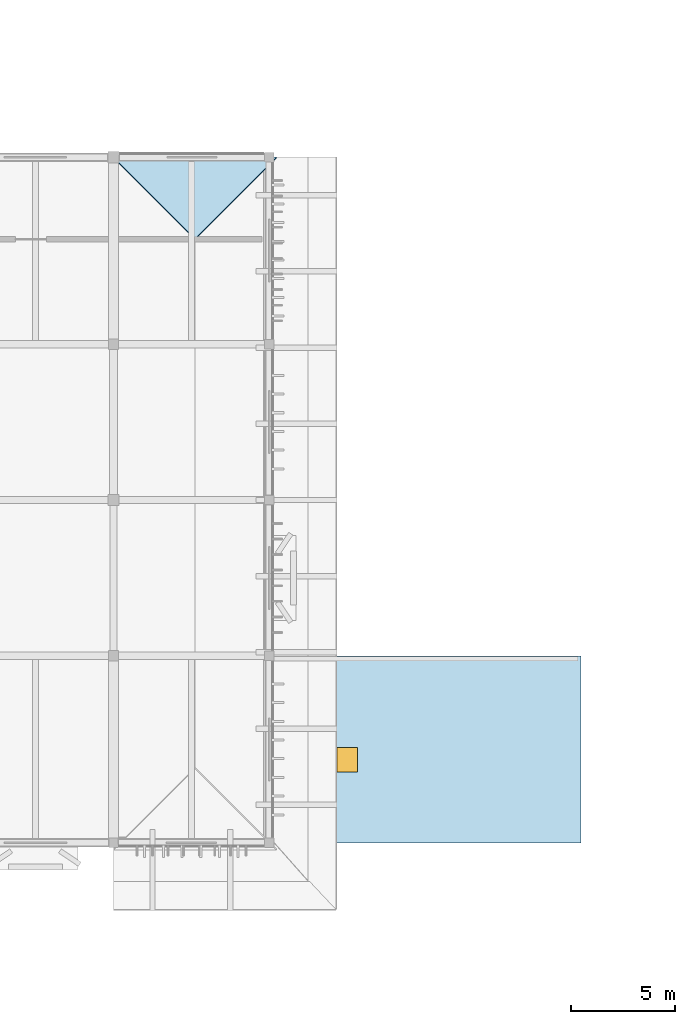
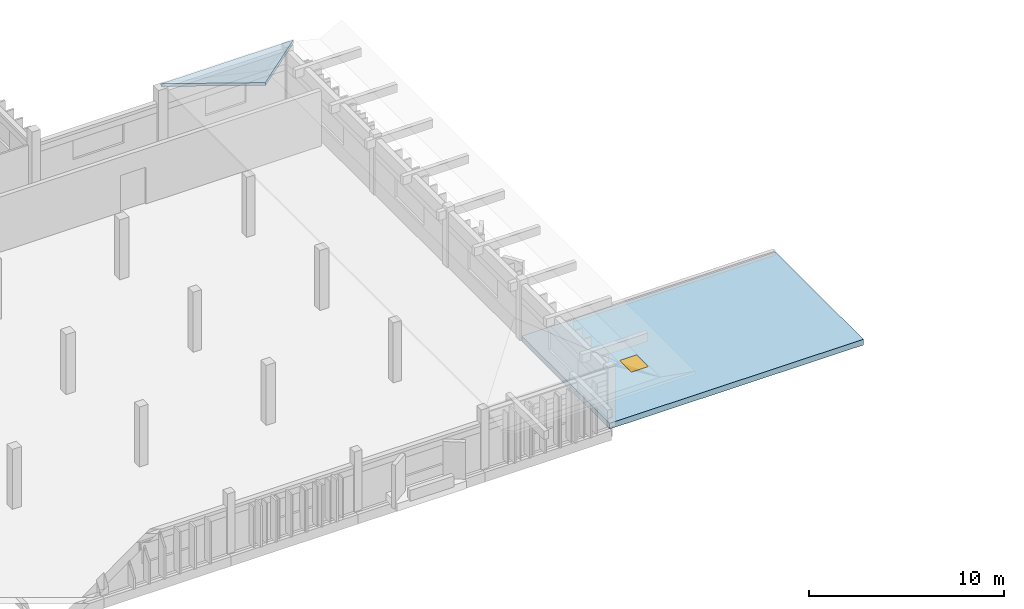
# One storey, part 11 of 43: 2 slabs, 1 door, 1 opening, 1 element without a shape of its own.
"""IFC4 building model written with IfcOpenShell, lengths in metres."""

import ifcopenshell
import ifcopenshell.guid

model = None  # the IFC model being written
_history = None  # IfcOwnerHistory: only IFC2X3 demands one
_inside = {}  # id of a spatial element -> (the spatial element, [elements in it])
_under = {}  # id of a project, library or spatial element -> (it, [spatial elements below it])
_declared = {}  # id of a project -> (the project, [libraries it declares])
_typed = {}  # id of a type object -> (the type object, [elements of that type])
_made_of = {}  # id of a material, layer set ... -> (it, [elements and type objects made of it])


def new_model(schema):
    """Start an empty IFC model of exactly this schema.

    Asked for "IFC4X3", IfcOpenShell would pick the latest addendum, in which some entities
    have other attributes; the version numbers below select the first issue.
    IFC2X3 requires an IfcOwnerHistory on every rooted entity: one is made here for all.
    """
    global model, _history
    if schema == "IFC4X3":
        model = ifcopenshell.file(schema_version=(4, 3, 0, 0))
    else:
        model = ifcopenshell.file(schema=schema)
    _inside.clear()
    _under.clear()
    _declared.clear()
    _typed.clear()
    _made_of.clear()
    _history = None
    if model.schema == "IFC2X3":
        org = make("IfcOrganization", Name="unknown")
        user = make(
            "IfcPersonAndOrganization",
            ThePerson=make("IfcPerson", FamilyName="unknown"),
            TheOrganization=org,
        )
        app = make(
            "IfcApplication",
            ApplicationDeveloper=org,
            Version="unknown",
            ApplicationFullName="unknown",
            ApplicationIdentifier="unknown",
        )
        _history = make(
            "IfcOwnerHistory",
            OwningUser=user,
            OwningApplication=app,
            ChangeAction="ADDED",
            CreationDate=0,
        )
    return model


def make(cls, **values):
    """One entity of the class cls with the attributes given. An attribute that is None is left unset."""
    return model.create_entity(
        cls, **{name: value for name, value in values.items() if value is not None}
    )


def rooted(cls, **values):
    """An entity with a GlobalId (a new one), such as an element, a storey or a relation."""
    return make(cls, GlobalId=ifcopenshell.guid.new(), OwnerHistory=_history, **values)


def si_unit(unit_type, name, prefix=None):
    """IfcSIUnit, for example si_unit("LENGTHUNIT", "METRE", prefix="MILLI")."""
    return make("IfcSIUnit", UnitType=unit_type, Prefix=prefix, Name=name)


def assignment(units):
    """IfcUnitAssignment: the units of a project."""
    return None if units is None else make("IfcUnitAssignment", Units=units)


def point(xyz):
    """IfcCartesianPoint."""
    return None if xyz is None else make("IfcCartesianPoint", Coordinates=xyz)


def direction(xyz):
    """IfcDirection."""
    return None if xyz is None else make("IfcDirection", DirectionRatios=xyz)


def frame(location, z_axis=None, x_axis=None):
    """IfcAxis2Placement3D, a coordinate frame: its origin and axes. An axis left out is left unset."""
    return make(
        "IfcAxis2Placement3D",
        Location=point(location),
        Axis=direction(z_axis),
        RefDirection=direction(x_axis),
    )


def frame_2d(location, x_axis=None):
    """IfcAxis2Placement2D, a coordinate frame in the plane: its origin and x axis."""
    return make(
        "IfcAxis2Placement2D", Location=point(location), RefDirection=direction(x_axis)
    )


def origin():
    """The frame at (0, 0, 0) with its axes left unset."""
    return frame((0.0, 0.0, 0.0))


def origin_2d():
    """The frame at (0, 0) in the plane with its x axis left unset."""
    return frame_2d((0.0, 0.0))


def place(relative_to, where):
    """IfcLocalPlacement: puts the frame where relative to a parent placement (None: the world)."""
    return make(
        "IfcLocalPlacement", PlacementRelTo=relative_to, RelativePlacement=where
    )


def context(
    kind, dimensions, precision=None, world=None, true_north=None, identifier=None
):
    """IfcGeometricRepresentationContext, for example the 3D "Model" context."""
    return make(
        "IfcGeometricRepresentationContext",
        ContextIdentifier=identifier,
        ContextType=kind,
        CoordinateSpaceDimension=dimensions,
        Precision=precision,
        WorldCoordinateSystem=world,
        TrueNorth=true_north,
    )


def subcontext(parent, identifier, kind, view, scale=None):
    """IfcGeometricRepresentationSubContext, for example "Body" below "Model"."""
    return make(
        "IfcGeometricRepresentationSubContext",
        ContextIdentifier=identifier,
        ContextType=kind,
        ParentContext=parent,
        TargetScale=scale,
        TargetView=view,
    )


def project(units=None, contexts=None):
    """IfcProject with its units and contexts."""
    return rooted(
        "IfcProject",
        Name="project",
        RepresentationContexts=contexts,
        UnitsInContext=assignment(units),
    )


def spatial(cls, under=None, at=None, **own):
    """A site, building, storey or space (cls), placed at a placement, below another one or the project."""
    s = rooted(cls, ObjectPlacement=at, **own)
    if under is not None:
        _under.setdefault(under.id(), (under, []))[1].append(s)
    return s


def polyline(points):
    """IfcPolyline through the points."""
    return make("IfcPolyline", Points=[point(p) for p in points])


def profile(cls, at=None, kind="AREA", **sizes):
    """A parametric profile (cls). Its sizes go by their IFC names, for example OverallWidth=200.0."""
    return make(cls, ProfileType=kind, Position=at, **sizes)


def rectangle(**sizes):
    """IfcRectangleProfileDef."""
    return profile("IfcRectangleProfileDef", **sizes)


def outline(outer, holes=None, kind="AREA"):
    """IfcArbitraryClosedProfileDef: a profile drawn as a closed curve; with holes, ...WithVoids."""
    if holes is None:
        return make("IfcArbitraryClosedProfileDef", ProfileType=kind, OuterCurve=outer)
    return make(
        "IfcArbitraryProfileDefWithVoids",
        ProfileType=kind,
        OuterCurve=outer,
        InnerCurves=holes,
    )


def extrude(swept, where, along, depth):
    """IfcExtrudedAreaSolid: the profile swept, set in the frame where, extruded along a direction by depth."""
    return make(
        "IfcExtrudedAreaSolid",
        SweptArea=swept,
        Position=where,
        ExtrudedDirection=direction(along),
        Depth=depth,
    )


def shape(context_of_items, identifier, shape_type, items):
    """IfcShapeRepresentation: the items that make up one representation, for example the "Body"."""
    return make(
        "IfcShapeRepresentation",
        ContextOfItems=context_of_items,
        RepresentationIdentifier=identifier,
        RepresentationType=shape_type,
        Items=items,
    )


def material(Name=None, Category=None):
    """IfcMaterial."""
    return make("IfcMaterial", Name=Name, Category=Category)


def layer(
    of_material, thickness, ventilated=None, Name=None, Category=None, Priority=None
):
    """IfcMaterialLayer: one layer of a wall or slab, of a material (None: an air gap)."""
    return make(
        "IfcMaterialLayer",
        Material=of_material,
        LayerThickness=thickness,
        IsVentilated=ventilated,
        Name=Name,
        Category=Category,
        Priority=Priority,
    )


def layer_set(layers, Name=None):
    """IfcMaterialLayerSet."""
    return make("IfcMaterialLayerSet", MaterialLayers=layers, LayerSetName=Name)


def made_of(thing, what):
    """Note that an element or type object is made of a material, layer set ...; save() writes the relation."""
    if what is not None:
        _made_of.setdefault(what.id(), (what, []))[1].append(thing)
    return thing


def type_object(cls, material=None, **own):
    """A type object (cls), such as IfcWallType, which elements share."""
    return made_of(rooted(cls, **own), material)


def element(
    cls,
    number,
    at=None,
    inside=None,
    cuts=None,
    type_object=None,
    material=None,
    context=None,
    identifier="Body",
    shape_type=None,
    held_by="IfcProductDefinitionShape",
    body=None,
    shapes=None,
    **own,
):
    """One element of the class cls, such as IfcWall. Its Tag is "e" and its number.

    at: its placement. inside: the storey or other place that contains it. cuts: it is an
    opening in that element (IfcRelVoidsElement). A single representation is given by context,
    identifier, shape_type and body (its items); several are given by shapes. held_by: the class
    of the entity that holds the representations. save() writes the other relations.
    """
    e = rooted(cls, Tag="e%d" % number, ObjectPlacement=at, **own)
    if body is not None:
        shapes = [shape(context, identifier, shape_type, body)]
    if shapes is not None:
        e.Representation = make(held_by, Representations=shapes)
    if inside is not None:
        _inside.setdefault(inside.id(), (inside, []))[1].append(e)
    if cuts is not None:
        rooted(
            "IfcRelVoidsElement", RelatingBuildingElement=cuts, RelatedOpeningElement=e
        )
    if type_object is not None:
        _typed.setdefault(type_object.id(), (type_object, []))[1].append(e)
    return made_of(e, material)


def fill(opening, filler):
    """IfcRelFillsElement: the door or window that sits in an opening."""
    return rooted(
        "IfcRelFillsElement",
        RelatingOpeningElement=opening,
        RelatedBuildingElement=filler,
    )


def aggregate(whole, parts):
    """IfcRelAggregates: a whole, such as a stair, and the parts it consists of."""
    return rooted("IfcRelAggregates", RelatingObject=whole, RelatedObjects=parts)


def save(model, path):
    """Write the relations noted so far, then the file.

    IfcRelAggregates (storeys below a building ...), IfcRelContainedInSpatialStructure (elements
    in a storey), IfcRelDefinesByType, IfcRelAssociatesMaterial and IfcRelDeclares: one each for
    every whole, place, type object, material and project.
    """
    for whole, parts in _under.values():
        aggregate(whole, parts)
    for where, things in _inside.values():
        rooted(
            "IfcRelContainedInSpatialStructure",
            RelatedElements=things,
            RelatingStructure=where,
        )
    for kind, things in _typed.values():
        rooted("IfcRelDefinesByType", RelatedObjects=things, RelatingType=kind)
    for what, things in _made_of.values():
        rooted("IfcRelAssociatesMaterial", RelatedObjects=things, RelatingMaterial=what)
    for by, libraries in _declared.values():
        rooted("IfcRelDeclares", RelatingContext=by, RelatedDefinitions=libraries)
    model.write(path)


model = new_model("IFC4")

# Units and contexts
model_context = context("Model", 3, precision=1e-05, world=origin(), true_north=direction((0.0, 1.0)))
body_context = subcontext(model_context, "Body", "Model", "MODEL_VIEW")
ifc_project = project(units=[si_unit("LENGTHUNIT", "METRE"), si_unit("AREAUNIT", "SQUARE_METRE"), si_unit("VOLUMEUNIT", "CUBIC_METRE"), si_unit("PLANEANGLEUNIT", "RADIAN"), si_unit("MASSUNIT", "GRAM", prefix="KILO")], contexts=[model_context])

# Site, building, storey
site_placement = place(None, origin())
site = spatial("IfcSite", under=ifc_project, at=site_placement, CompositionType="ELEMENT")
building_placement = place(site_placement, origin())
building = spatial("IfcBuilding", under=site, at=building_placement, Name="Dalvernix Boulevard General Hospital", CompositionType="ELEMENT")
storey_placement = place(building_placement, frame((0.0, 0.0, 14.10009765625)))
storey = spatial("IfcBuildingStorey", under=building, at=storey_placement, Name="L03", CompositionType="ELEMENT", Elevation=14.10009765625)

# Slab, opening, door
ifc_material_1 = material(Name="Concrete C35/45", Category="concrete")
ifc_layer_1 = layer(ifc_material_1, 0.219970703125)
ifc_layer_set_1 = layer_set([ifc_layer_1], Name="Concrete C35/45 (SLB-RS-01)")
slab_type_1 = type_object("IfcSlabType", Name="SLB-RS-01", PredefinedType="ROOF", material=ifc_layer_set_1)
slab_1_placement = place(storey_placement, frame((0.0, 0.0, -0.280029296875)))
slab_1 = element("IfcSlab", 1, at=slab_1_placement, inside=storey, type_object=slab_type_1, Name="L03 clinical skylight roof slab V2TOP", PredefinedType="ROOF", context=body_context, shape_type="SweptSolid", body=[
    extrude(outline(polyline([(142.5, 76.5), (157.5, 76.5), (157.5, 85.5), (142.5, 85.5), (142.5, 76.5)]), holes=[polyline([(145.75, 79.89990234375), (146.75, 79.89990234375), (146.75, 81.10009765625), (145.75, 81.10009765625), (145.75, 79.89990234375)])]), origin(), (0.0, 0.0, 1.0), 0.35986328125),
])
opening_placement = place(slab_1_placement, frame((146.25, 80.5, 0.0)))
opening = element("IfcOpeningElement", 2, at=opening_placement, cuts=slab_1, Name="Opening RH-01", PredefinedType="OPENING", context=body_context, shape_type="SweptSolid", body=[
    extrude(rectangle(XDim=1.0, YDim=1.199951171875, at=origin_2d()), origin(), (0.0, 0.0, 1.0), 0.35986328125),
])
ifc_material_2 = material(Name="Galvanized painted steel", Category="steel")
door_type = type_object("IfcDoorType", Name="DR-RH-01", OperationType="SINGLE_SWING_LEFT", PredefinedType="TRAPDOOR", material=ifc_material_2)
door_placement = place(opening_placement, frame((0.0, 0.0, 0.309814453125)))
door = element("IfcDoor", 3, at=door_placement, inside=storey, type_object=door_type, Name="L03 roof access trapdoor V2TOP-1", OperationType="SINGLE_SWING_LEFT", OverallHeight=1.199951171875, OverallWidth=1.0, PredefinedType="TRAPDOOR", context=body_context, shape_type="SweptSolid", body=[
    extrude(rectangle(XDim=1.0, YDim=1.199951171875, at=origin_2d()), origin(), (0.0, 0.0, 1.0), 0.050048828125),
])
fill(opening, door)

# Roof, slab
ifc_material_3 = material(Name="Polychrome Catalan glazed terracotta tile roof system", Category="masonry")
roof_type = type_object("IfcRoofType", Name="ROOF-HIP-01", PredefinedType="HIP_ROOF", material=ifc_material_3)
roof_placement = place(storey_placement, origin())
roof = element("IfcRoof", 4, at=roof_placement, inside=storey, type_object=roof_type, Name="V3-L03E Hipped Ceramic Roof", PredefinedType="HIP_ROOF")
ifc_material_4 = material(Name="Glulam GL28h", Category="wood")
ifc_layer_2 = layer(ifc_material_4, 0.159912109375)
ifc_layer_set_2 = layer_set([ifc_layer_2], Name="Glulam GL28h (SLB-RS-04)")
slab_type_2 = type_object("IfcSlabType", Name="SLB-RS-04", PredefinedType="ROOF", material=ifc_layer_set_2)
slab_2_placement = place(storey_placement, frame((142.85009765625, 109.5, 3.916015625), z_axis=(0.0, 0.265536966303, 0.964100679144), x_axis=(-1.0, 0.0, 0.0)))
slab_2 = element("IfcSlab", 5, at=slab_2_placement, type_object=slab_type_2, Name="V3-L03E hipped roof slab N", PredefinedType="ROOF", context=body_context, shape_type="SweptSolid", body=[
    extrude(outline(polyline([(0.0, 0.0), (7.85009765625, 0.0), (3.925048828125, 4.07120222299644), (0.0, 0.0)])), origin(), (0.0, 0.0, -1.0), 0.159912109375),
])
aggregate(roof, [slab_2])

save(model, "model.ifc")
